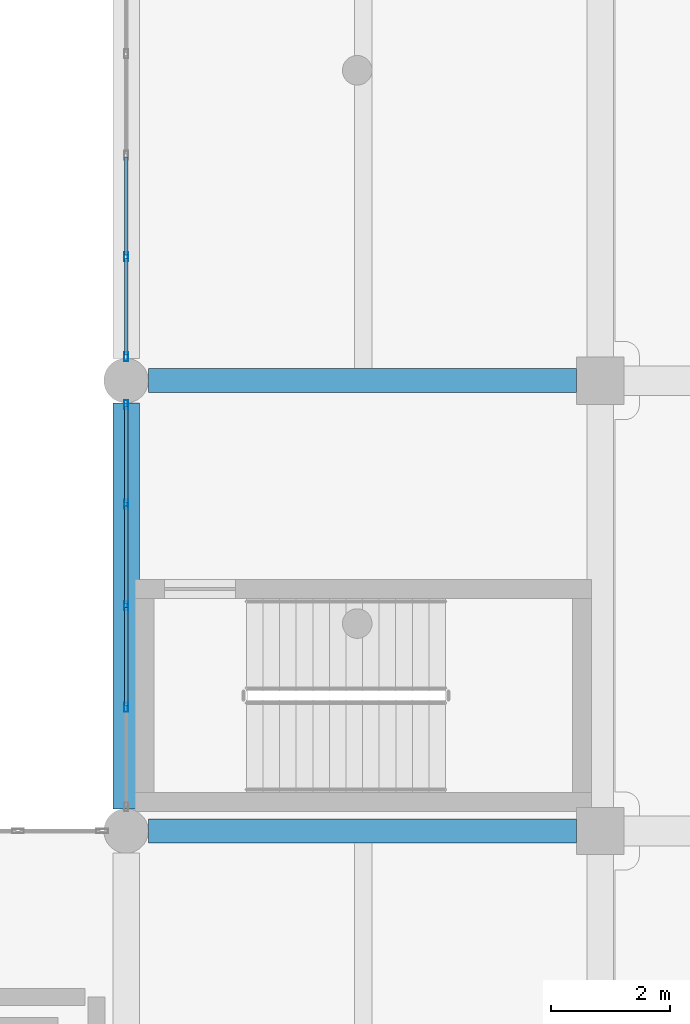
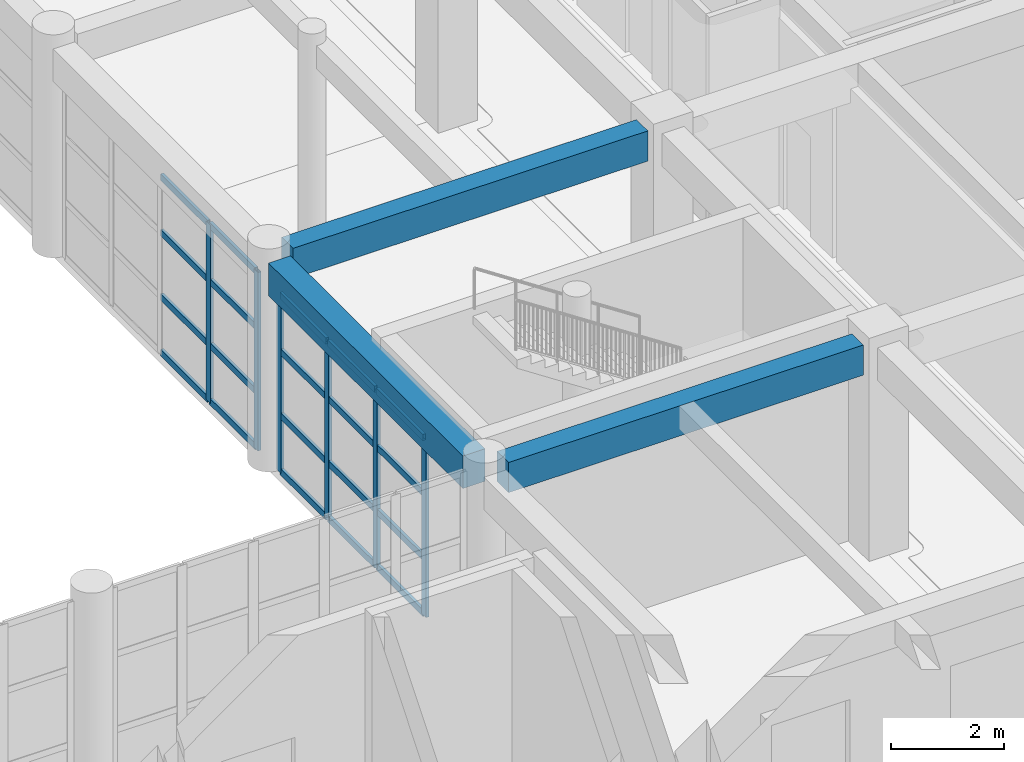
# One storey, part 15 of 101: 26 members, 3 beams, 2 elements without a shape of their own.
"""IFC4 building model written with IfcOpenShell, lengths in metres."""

from ifc_helpers import new_model, si_unit, direction, frame, origin, origin_2d, place, context, subcontext, project, spatial, rectangle, hollow_rectangle, extrude, material, material_profile, profile_set, type_object, element, aggregate, save


model = new_model("IFC4")

# Units and contexts
model_context = context("Model", 3, precision=1e-05, world=origin(), true_north=direction((0.0, 1.0)))
body_context = subcontext(model_context, "Body", "Model", "MODEL_VIEW")
ifc_project = project(units=[si_unit("LENGTHUNIT", "METRE"), si_unit("AREAUNIT", "SQUARE_METRE"), si_unit("VOLUMEUNIT", "CUBIC_METRE"), si_unit("PLANEANGLEUNIT", "RADIAN"), si_unit("MASSUNIT", "GRAM", prefix="KILO")], contexts=[model_context])

# Site, building, storey
site_placement = place(None, origin())
site = spatial("IfcSite", under=ifc_project, at=site_placement, CompositionType="ELEMENT")
building_placement = place(site_placement, origin())
building = spatial("IfcBuilding", under=site, at=building_placement, Name="Zantavel Square City Hall", CompositionType="ELEMENT")
storey_placement = place(building_placement, frame((0.0, 0.0, 5.39990234375)))
storey = spatial("IfcBuildingStorey", under=building, at=storey_placement, Name="L02", CompositionType="ELEMENT", Elevation=5.39990234375)

# Curtain wall, members
ifc_material_1 = material(Name="Anodised aluminium 6063-T6", Category="aluminium")
curtain_wall_type = type_object("IfcCurtainWallType", Name="Curtain Wall CRT 6850x3840", PredefinedType="USERDEFINED", material=ifc_material_1)
curtain_wall_1_placement = place(storey_placement, origin())
curtain_wall_1 = element("IfcCurtainWall", 1, at=curtain_wall_1_placement, inside=storey, type_object=curtain_wall_type, Name="L02 Glazed Curtain Wall CW-L02-077", ObjectType="GLAZED CURTAIN WALL", PredefinedType="USERDEFINED")
ifc_material_profile_1 = material_profile(ifc_material_1, hollow_rectangle(XDim=0.06494140625, YDim=0.14990234375, WallThickness=0.00390625, at=origin_2d()), Name="ALU 65x150x4")
ifc_profile_set_1 = profile_set([ifc_material_profile_1], Name="Anodised aluminium 6063-T6")
member_type_1 = type_object("IfcMemberType", Name="CW Mullion ALU 65x150x4", PredefinedType="MULLION", material=ifc_profile_set_1)
member_1_placement = place(storey_placement, frame((48.0, 40.08740234375, 0.0), z_axis=(0.0, 0.0, 1.0), x_axis=(-1.0, 0.0, 0.0)))
member_1 = element("IfcMember", 2, at=member_1_placement, type_object=member_type_1, Name="CW-077 mullion 2", PredefinedType="MULLION", context=body_context, shape_type="SweptSolid", body=[
    extrude(hollow_rectangle(XDim=0.06494140625, YDim=0.14990234375, WallThickness=0.00390625, at=origin_2d()), origin(), (0.0, 0.0, 1.0), 3.840087890625),
])
member_2_placement = place(storey_placement, frame((48.0, 41.800048828125, 0.0), z_axis=(0.0, 0.0, 1.0), x_axis=(-1.0, 0.0, 0.0)))
member_2 = element("IfcMember", 3, at=member_2_placement, type_object=member_type_1, Name="CW-077 mullion 3", PredefinedType="MULLION", context=body_context, shape_type="SweptSolid", body=[
    extrude(hollow_rectangle(XDim=0.06494140625, YDim=0.14990234375, WallThickness=0.00390625, at=origin_2d()), origin(), (0.0, 0.0, 1.0), 3.840087890625),
])
member_3_placement = place(storey_placement, frame((48.0, 43.512451171875, 0.0), z_axis=(0.0, 0.0, 1.0), x_axis=(-1.0, 0.0, 0.0)))
member_3 = element("IfcMember", 4, at=member_3_placement, type_object=member_type_1, Name="CW-077 mullion 4", PredefinedType="MULLION", context=body_context, shape_type="SweptSolid", body=[
    extrude(hollow_rectangle(XDim=0.06494140625, YDim=0.14990234375, WallThickness=0.00390625, at=origin_2d()), origin(), (0.0, 0.0, 1.0), 3.840087890625),
])
member_4_placement = place(storey_placement, frame((48.0, 45.195068359375, 0.0), z_axis=(0.0, 0.0, 1.0), x_axis=(-1.0, 0.0, 0.0)))
member_4 = element("IfcMember", 5, at=member_4_placement, type_object=member_type_1, Name="CW-077 mullion 5", PredefinedType="MULLION", context=body_context, shape_type="SweptSolid", body=[
    extrude(hollow_rectangle(XDim=0.06494140625, YDim=0.14990234375, WallThickness=0.00390625, at=origin_2d()), origin(), (0.0, 0.0, 1.0), 3.840087890625),
])

curtain_wall_2_placement = place(storey_placement, origin())
curtain_wall_2 = element("IfcCurtainWall", 6, at=curtain_wall_2_placement, inside=storey, type_object=curtain_wall_type, Name="L02 Glazed Curtain Wall CW-L02-078", ObjectType="GLAZED CURTAIN WALL", PredefinedType="USERDEFINED")
member_5_placement = place(storey_placement, frame((48.0, 46.0048828125, 0.0), z_axis=(0.0, 0.0, 1.0), x_axis=(-1.0, 0.0, 0.0)))
member_5 = element("IfcMember", 7, at=member_5_placement, type_object=member_type_1, Name="CW-078 mullion 1", PredefinedType="MULLION", context=body_context, shape_type="SweptSolid", body=[
    extrude(hollow_rectangle(XDim=0.06494140625, YDim=0.14990234375, WallThickness=0.00390625, at=origin_2d()), origin(), (0.0, 0.0, 1.0), 3.840087890625),
])
member_6_placement = place(storey_placement, frame((48.0, 47.6875, 0.0), z_axis=(0.0, 0.0, 1.0), x_axis=(-1.0, 0.0, 0.0)))
member_6 = element("IfcMember", 8, at=member_6_placement, type_object=member_type_1, Name="CW-078 mullion 2", PredefinedType="MULLION", context=body_context, shape_type="SweptSolid", body=[
    extrude(hollow_rectangle(XDim=0.06494140625, YDim=0.14990234375, WallThickness=0.00390625, at=origin_2d()), origin(), (0.0, 0.0, 1.0), 3.840087890625),
])

# Member
ifc_material_profile_2 = material_profile(ifc_material_1, hollow_rectangle(XDim=0.06005859375, YDim=0.139892578125, WallThickness=0.00390625, at=origin_2d()), Name="ALU 60x140x4")
ifc_profile_set_2 = profile_set([ifc_material_profile_2], Name="Anodised aluminium 6063-T6")
member_type_2 = type_object("IfcMemberType", Name="CW Transom ALU 60x140x4", PredefinedType="USERDEFINED", material=ifc_profile_set_2)
member_7_placement = place(storey_placement, frame((48.0, 40.117431640625, 0.030029296875), z_axis=(0.0, 1.0, 0.0), x_axis=(-1.0, 0.0, 0.0)))
member_7 = element("IfcMember", 9, at=member_7_placement, type_object=member_type_2, Name="CW-077 transom 2.1", ObjectType="TRANSOM", PredefinedType="USERDEFINED", context=body_context, shape_type="SweptSolid", body=[
    extrude(hollow_rectangle(XDim=0.06005859375, YDim=0.139892578125, WallThickness=0.00390625, at=origin_2d()), origin(), (0.0, 0.0, 1.0), 1.652587890625),
])

member_8_placement = place(storey_placement, frame((48.0, 40.117431640625, 1.22900390625), z_axis=(0.0, 1.0, 0.0), x_axis=(-1.0, 0.0, 0.0)))
member_8 = element("IfcMember", 10, at=member_8_placement, type_object=member_type_2, Name="CW-077 transom 2.2", ObjectType="TRANSOM", PredefinedType="USERDEFINED", context=body_context, shape_type="SweptSolid", body=[
    extrude(hollow_rectangle(XDim=0.06005859375, YDim=0.139892578125, WallThickness=0.00390625, at=origin_2d()), origin(), (0.0, 0.0, 1.0), 1.652587890625),
])

member_9_placement = place(storey_placement, frame((48.0, 40.117431640625, 2.611083984375), z_axis=(0.0, 1.0, 0.0), x_axis=(-1.0, 0.0, 0.0)))
member_9 = element("IfcMember", 11, at=member_9_placement, type_object=member_type_2, Name="CW-077 transom 2.3", ObjectType="TRANSOM", PredefinedType="USERDEFINED", context=body_context, shape_type="SweptSolid", body=[
    extrude(hollow_rectangle(XDim=0.06005859375, YDim=0.139892578125, WallThickness=0.00390625, at=origin_2d()), origin(), (0.0, 0.0, 1.0), 1.652587890625),
])

member_10_placement = place(storey_placement, frame((48.0, 40.117431640625, 3.81005859375), z_axis=(0.0, 1.0, 0.0), x_axis=(-1.0, 0.0, 0.0)))
member_10 = element("IfcMember", 12, at=member_10_placement, type_object=member_type_2, Name="CW-077 transom 2.4", ObjectType="TRANSOM", PredefinedType="USERDEFINED", context=body_context, shape_type="SweptSolid", body=[
    extrude(hollow_rectangle(XDim=0.06005859375, YDim=0.139892578125, WallThickness=0.00390625, at=origin_2d()), origin(), (0.0, 0.0, 1.0), 1.652587890625),
])

member_11_placement = place(storey_placement, frame((48.0, 41.830078125, 0.030029296875), z_axis=(0.0, 1.0, 0.0), x_axis=(-1.0, 0.0, 0.0)))
member_11 = element("IfcMember", 13, at=member_11_placement, type_object=member_type_2, Name="CW-077 transom 3.1", ObjectType="TRANSOM", PredefinedType="USERDEFINED", context=body_context, shape_type="SweptSolid", body=[
    extrude(hollow_rectangle(XDim=0.06005859375, YDim=0.139892578125, WallThickness=0.00390625, at=origin_2d()), origin(), (0.0, 0.0, 1.0), 1.65234375),
])

member_12_placement = place(storey_placement, frame((48.0, 41.830078125, 1.22900390625), z_axis=(0.0, 1.0, 0.0), x_axis=(-1.0, 0.0, 0.0)))
member_12 = element("IfcMember", 14, at=member_12_placement, type_object=member_type_2, Name="CW-077 transom 3.2", ObjectType="TRANSOM", PredefinedType="USERDEFINED", context=body_context, shape_type="SweptSolid", body=[
    extrude(hollow_rectangle(XDim=0.06005859375, YDim=0.139892578125, WallThickness=0.00390625, at=origin_2d()), origin(), (0.0, 0.0, 1.0), 1.65234375),
])

member_13_placement = place(storey_placement, frame((48.0, 41.830078125, 2.611083984375), z_axis=(0.0, 1.0, 0.0), x_axis=(-1.0, 0.0, 0.0)))
member_13 = element("IfcMember", 15, at=member_13_placement, type_object=member_type_2, Name="CW-077 transom 3.3", ObjectType="TRANSOM", PredefinedType="USERDEFINED", context=body_context, shape_type="SweptSolid", body=[
    extrude(hollow_rectangle(XDim=0.06005859375, YDim=0.139892578125, WallThickness=0.00390625, at=origin_2d()), origin(), (0.0, 0.0, 1.0), 1.65234375),
])

member_14_placement = place(storey_placement, frame((48.0, 41.830078125, 3.81005859375), z_axis=(0.0, 1.0, 0.0), x_axis=(-1.0, 0.0, 0.0)))
member_14 = element("IfcMember", 16, at=member_14_placement, type_object=member_type_2, Name="CW-077 transom 3.4", ObjectType="TRANSOM", PredefinedType="USERDEFINED", context=body_context, shape_type="SweptSolid", body=[
    extrude(hollow_rectangle(XDim=0.06005859375, YDim=0.139892578125, WallThickness=0.00390625, at=origin_2d()), origin(), (0.0, 0.0, 1.0), 1.65234375),
])

member_15_placement = place(storey_placement, frame((48.0, 43.54248046875, 0.030029296875), z_axis=(0.0, 1.0, 0.0), x_axis=(-1.0, 0.0, 0.0)))
member_15 = element("IfcMember", 17, at=member_15_placement, type_object=member_type_2, Name="CW-077 transom 4.1", ObjectType="TRANSOM", PredefinedType="USERDEFINED", context=body_context, shape_type="SweptSolid", body=[
    extrude(hollow_rectangle(XDim=0.06005859375, YDim=0.139892578125, WallThickness=0.00390625, at=origin_2d()), origin(), (0.0, 0.0, 1.0), 1.62255859375),
])

member_16_placement = place(storey_placement, frame((48.0, 43.54248046875, 1.22900390625), z_axis=(0.0, 1.0, 0.0), x_axis=(-1.0, 0.0, 0.0)))
member_16 = element("IfcMember", 18, at=member_16_placement, type_object=member_type_2, Name="CW-077 transom 4.2", ObjectType="TRANSOM", PredefinedType="USERDEFINED", context=body_context, shape_type="SweptSolid", body=[
    extrude(hollow_rectangle(XDim=0.06005859375, YDim=0.139892578125, WallThickness=0.00390625, at=origin_2d()), origin(), (0.0, 0.0, 1.0), 1.62255859375),
])

member_17_placement = place(storey_placement, frame((48.0, 43.54248046875, 2.611083984375), z_axis=(0.0, 1.0, 0.0), x_axis=(-1.0, 0.0, 0.0)))
member_17 = element("IfcMember", 19, at=member_17_placement, type_object=member_type_2, Name="CW-077 transom 4.3", ObjectType="TRANSOM", PredefinedType="USERDEFINED", context=body_context, shape_type="SweptSolid", body=[
    extrude(hollow_rectangle(XDim=0.06005859375, YDim=0.139892578125, WallThickness=0.00390625, at=origin_2d()), origin(), (0.0, 0.0, 1.0), 1.62255859375),
])

member_18_placement = place(storey_placement, frame((48.0, 43.54248046875, 3.81005859375), z_axis=(0.0, 1.0, 0.0), x_axis=(-1.0, 0.0, 0.0)))
member_18 = element("IfcMember", 20, at=member_18_placement, type_object=member_type_2, Name="CW-077 transom 4.4", ObjectType="TRANSOM", PredefinedType="USERDEFINED", context=body_context, shape_type="SweptSolid", body=[
    extrude(hollow_rectangle(XDim=0.06005859375, YDim=0.139892578125, WallThickness=0.00390625, at=origin_2d()), origin(), (0.0, 0.0, 1.0), 1.62255859375),
])

aggregate(curtain_wall_1, [member_1, member_2, member_3, member_4, member_7, member_8, member_9, member_10, member_11, member_12, member_13, member_14, member_15, member_16, member_17, member_18])

member_19_placement = place(storey_placement, frame((48.0, 46.034912109375, 0.030029296875), z_axis=(0.0, 1.0, 0.0), x_axis=(-1.0, 0.0, 0.0)))
member_19 = element("IfcMember", 21, at=member_19_placement, type_object=member_type_2, Name="CW-078 transom 1.1", ObjectType="TRANSOM", PredefinedType="USERDEFINED", context=body_context, shape_type="SweptSolid", body=[
    extrude(hollow_rectangle(XDim=0.06005859375, YDim=0.139892578125, WallThickness=0.00390625, at=origin_2d()), origin(), (0.0, 0.0, 1.0), 1.62255859375),
])

member_20_placement = place(storey_placement, frame((48.0, 46.034912109375, 1.22900390625), z_axis=(0.0, 1.0, 0.0), x_axis=(-1.0, 0.0, 0.0)))
member_20 = element("IfcMember", 22, at=member_20_placement, type_object=member_type_2, Name="CW-078 transom 1.2", ObjectType="TRANSOM", PredefinedType="USERDEFINED", context=body_context, shape_type="SweptSolid", body=[
    extrude(hollow_rectangle(XDim=0.06005859375, YDim=0.139892578125, WallThickness=0.00390625, at=origin_2d()), origin(), (0.0, 0.0, 1.0), 1.62255859375),
])

member_21_placement = place(storey_placement, frame((48.0, 46.034912109375, 2.611083984375), z_axis=(0.0, 1.0, 0.0), x_axis=(-1.0, 0.0, 0.0)))
member_21 = element("IfcMember", 23, at=member_21_placement, type_object=member_type_2, Name="CW-078 transom 1.3", ObjectType="TRANSOM", PredefinedType="USERDEFINED", context=body_context, shape_type="SweptSolid", body=[
    extrude(hollow_rectangle(XDim=0.06005859375, YDim=0.139892578125, WallThickness=0.00390625, at=origin_2d()), origin(), (0.0, 0.0, 1.0), 1.62255859375),
])

member_22_placement = place(storey_placement, frame((48.0, 46.034912109375, 3.81005859375), z_axis=(0.0, 1.0, 0.0), x_axis=(-1.0, 0.0, 0.0)))
member_22 = element("IfcMember", 24, at=member_22_placement, type_object=member_type_2, Name="CW-078 transom 1.4", ObjectType="TRANSOM", PredefinedType="USERDEFINED", context=body_context, shape_type="SweptSolid", body=[
    extrude(hollow_rectangle(XDim=0.06005859375, YDim=0.139892578125, WallThickness=0.00390625, at=origin_2d()), origin(), (0.0, 0.0, 1.0), 1.62255859375),
])

member_23_placement = place(storey_placement, frame((48.0, 47.717529296875, 0.030029296875), z_axis=(0.0, 1.0, 0.0), x_axis=(-1.0, 0.0, 0.0)))
member_23 = element("IfcMember", 25, at=member_23_placement, type_object=member_type_2, Name="CW-078 transom 2.1", ObjectType="TRANSOM", PredefinedType="USERDEFINED", context=body_context, shape_type="SweptSolid", body=[
    extrude(hollow_rectangle(XDim=0.06005859375, YDim=0.139892578125, WallThickness=0.00390625, at=origin_2d()), origin(), (0.0, 0.0, 1.0), 1.652587890625),
])

member_24_placement = place(storey_placement, frame((48.0, 47.717529296875, 1.22900390625), z_axis=(0.0, 1.0, 0.0), x_axis=(-1.0, 0.0, 0.0)))
member_24 = element("IfcMember", 26, at=member_24_placement, type_object=member_type_2, Name="CW-078 transom 2.2", ObjectType="TRANSOM", PredefinedType="USERDEFINED", context=body_context, shape_type="SweptSolid", body=[
    extrude(hollow_rectangle(XDim=0.06005859375, YDim=0.139892578125, WallThickness=0.00390625, at=origin_2d()), origin(), (0.0, 0.0, 1.0), 1.652587890625),
])

member_25_placement = place(storey_placement, frame((48.0, 47.717529296875, 2.611083984375), z_axis=(0.0, 1.0, 0.0), x_axis=(-1.0, 0.0, 0.0)))
member_25 = element("IfcMember", 27, at=member_25_placement, type_object=member_type_2, Name="CW-078 transom 2.3", ObjectType="TRANSOM", PredefinedType="USERDEFINED", context=body_context, shape_type="SweptSolid", body=[
    extrude(hollow_rectangle(XDim=0.06005859375, YDim=0.139892578125, WallThickness=0.00390625, at=origin_2d()), origin(), (0.0, 0.0, 1.0), 1.652587890625),
])

member_26_placement = place(storey_placement, frame((48.0, 47.717529296875, 3.81005859375), z_axis=(0.0, 1.0, 0.0), x_axis=(-1.0, 0.0, 0.0)))
member_26 = element("IfcMember", 28, at=member_26_placement, type_object=member_type_2, Name="CW-078 transom 2.4", ObjectType="TRANSOM", PredefinedType="USERDEFINED", context=body_context, shape_type="SweptSolid", body=[
    extrude(hollow_rectangle(XDim=0.06005859375, YDim=0.139892578125, WallThickness=0.00390625, at=origin_2d()), origin(), (0.0, 0.0, 1.0), 1.652587890625),
])

aggregate(curtain_wall_2, [member_5, member_6, member_19, member_20, member_21, member_22, member_23, member_24, member_25, member_26])

# Beams
ifc_material_2 = material(Name="Concrete C35/45", Category="concrete")
ifc_material_profile_3 = material_profile(ifc_material_2, rectangle(XDim=0.39990234375, YDim=0.64990234375, at=origin_2d()), Name="RC 400x650")
ifc_profile_set_3 = profile_set([ifc_material_profile_3], Name="Concrete C35/45")
beam_type_1 = type_object("IfcBeamType", Name="Frame Beam RC 400x650 C35/45", PredefinedType="BEAM", material=ifc_profile_set_3)
for number, where, z_axis, x_axis, name in (
    (29, (48.375, 38.0, 4.215087890625), (1.0, 0.0, 0.0), (0.0, 1.0, 0.0), "L02 Girder BMX-L02-0480-0380"),
    (30, (48.375, 45.60009765625, 4.215087890625), (1.0, 0.0, 0.0), (0.0, 1.0, 0.0), "L02 Girder BMX-L02-0480-0456"),
):
    element("IfcBeam", number, at=place(storey_placement, frame(where, z_axis=z_axis, x_axis=x_axis)), inside=storey, type_object=beam_type_1, Name=name, PredefinedType="BEAM", context=body_context, shape_type="SweptSolid", body=[
        extrude(rectangle(XDim=0.39990234375, YDim=0.64990234375, at=origin_2d()), origin(), (0.0, 0.0, 1.0), 7.22509765625),
    ])
ifc_material_profile_4 = material_profile(ifc_material_2, rectangle(XDim=0.449951171875, YDim=0.699951171875, at=origin_2d()), Name="RC 450x700")
ifc_profile_set_4 = profile_set([ifc_material_profile_4], Name="Concrete C35/45")
beam_type_2 = type_object("IfcBeamType", Name="Primary Girder RC 450x700 C35/45", PredefinedType="BEAM", material=ifc_profile_set_4)
beam_placement = place(storey_placement, frame((48.0, 38.375, 4.190185546875), z_axis=(0.0, 1.0, 0.0), x_axis=(-1.0, 0.0, 0.0)))
element("IfcBeam", 31, at=beam_placement, inside=storey, type_object=beam_type_2, Name="L02 Beam BMY-L02-0480-0380", PredefinedType="BEAM", context=body_context, shape_type="SweptSolid", body=[
    extrude(rectangle(XDim=0.449951171875, YDim=0.699951171875, at=origin_2d()), origin(), (0.0, 0.0, 1.0), 6.85009765625),
])

save(model, "model.ifc")
